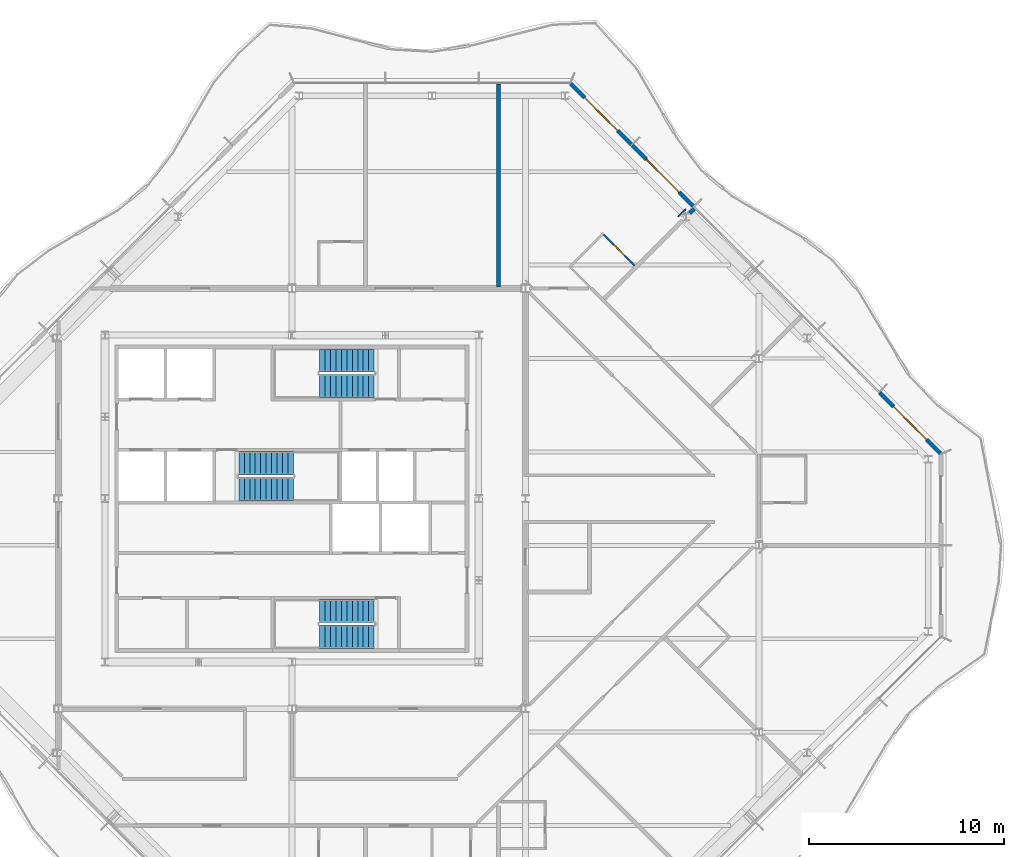
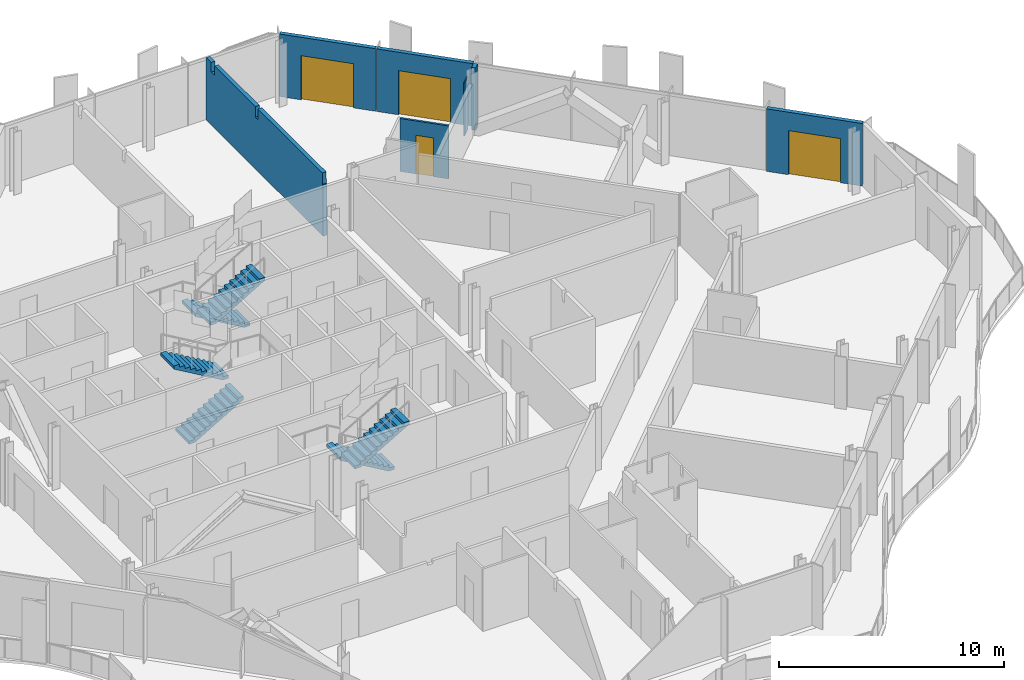
# One storey, part 12 of 17: 7 walls, 6 stair flights, 4 doors, 4 openings, 3 elements without a shape of their own.
"""IFC4 building model written with IfcOpenShell, lengths in metres."""

from ifc_helpers import new_model, si_unit, direction, frame, frame_2d, origin, place, context, subcontext, project, spatial, polyline, rectangle, outline, extrude, material, layer, layer_set, type_object, element, fill, aggregate, save


model = new_model("IFC4")

# Units and contexts
model_context = context("Model", 3, precision=1e-05, world=origin(), true_north=direction((0.0, 1.0)))
body_context = subcontext(model_context, "Body", "Model", "MODEL_VIEW")
ifc_project = project(units=[si_unit("LENGTHUNIT", "METRE"), si_unit("AREAUNIT", "SQUARE_METRE"), si_unit("VOLUMEUNIT", "CUBIC_METRE"), si_unit("PLANEANGLEUNIT", "RADIAN"), si_unit("MASSUNIT", "GRAM", prefix="KILO")], contexts=[model_context])

# Site, building, storey
site_placement = place(None, origin())
site = spatial("IfcSite", under=ifc_project, at=site_placement, CompositionType="ELEMENT")
building_placement = place(site_placement, origin())
building = spatial("IfcBuilding", under=site, at=building_placement, Name="Cairn Pilgrim Tower", CompositionType="ELEMENT")
storey_placement = place(building_placement, frame((0.0, 0.0, 292.199951171875)))
storey = spatial("IfcBuildingStorey", under=building, at=storey_placement, Name="L75", CompositionType="ELEMENT", Elevation=292.199951171875)

# Wall, opening, door
ifc_material_1 = material(Name="Bronze anodised aluminium insulated sandwich panel with mineral wool fill", Category="aluminium")
ifc_layer_1 = layer(ifc_material_1, 0.199951171875)
ifc_layer_set_1 = layer_set([ifc_layer_1], Name="BRONZE INFILL FRAME WALL 200")
wall_type_1 = type_object("IfcWallType", Name="BRONZE INFILL FRAME WALL 200", PredefinedType="NOTDEFINED", material=ifc_layer_set_1)
wall_1_placement = place(storey_placement, frame((40.521728515625, 4.724609375, 0.0), z_axis=(0.0, 0.0, 1.0), x_axis=(-0.707106781187, 0.707106781187, 0.0)))
wall_1 = element("IfcWall", 1, at=wall_1_placement, inside=storey, type_object=wall_type_1, Name="Bronze infill frame wall IW-NE1", PredefinedType="NOTDEFINED", context=body_context, shape_type="SweptSolid", body=[
    extrude(rectangle(XDim=4.421142578125, YDim=0.199951171875, at=frame_2d((2.21044921875, 0.0))), origin(), (0.0, 0.0, 1.0), 3.400146484375),
])
opening_1_placement = place(wall_1_placement, frame((1.00537109375, 0.0, 0.0)))
opening_1 = element("IfcOpeningElement", 2, at=opening_1_placement, cuts=wall_1, Name="Opening 7506B", PredefinedType="OPENING", context=body_context, shape_type="SweptSolid", body=[
    extrude(rectangle(XDim=2.39990234375, YDim=2.39990234375, at=frame_2d((1.199951171875, 1.199951171875))), frame((0.0, 0.10986328125, 0.0), z_axis=(0.0, -1.0, 0.0), x_axis=(1.0, 0.0, 0.0)), (0.0, 0.0, 1.0), 0.219970703125),
])
ifc_material_2 = material(Name="Bronze anodised aluminium frame with tinted low-E glass", Category="aluminium")
door_type_1 = type_object("IfcDoorType", Name="BALCONY SLIDING DOOR 2400x2400", OperationType="DOUBLE_DOOR_SLIDING", PredefinedType="DOOR", material=ifc_material_2)
door_1_placement = place(opening_1_placement, origin())
door_1 = element("IfcDoor", 3, at=door_1_placement, inside=storey, type_object=door_type_1, Name="Balcony sliding door 7506B", OperationType="SINGLE_SWING_LEFT", OverallHeight=2.39990234375, OverallWidth=2.39990234375, PredefinedType="DOOR", context=body_context, shape_type="SweptSolid", body=[
    extrude(rectangle(XDim=2.39990234375, YDim=2.39990234375, at=frame_2d((1.199951171875, 1.199951171875))), frame((0.0, 0.02490234375, 0.0), z_axis=(0.0, -1.0, 0.0), x_axis=(1.0, 0.0, 0.0)), (0.0, 0.0, 1.0), 0.050048828125),
])
fill(opening_1, door_1)

wall_2_placement = place(storey_placement, frame((27.826416015625, 17.419921875, 0.0), z_axis=(0.0, 0.0, 1.0), x_axis=(-0.707079231393, 0.707134329907, 0.0)))
wall_2 = element("IfcWall", 4, at=wall_2_placement, inside=storey, type_object=wall_type_1, Name="Bronze infill frame wall IW-NE5", PredefinedType="NOTDEFINED", context=body_context, shape_type="SweptSolid", body=[
    extrude(rectangle(XDim=4.430908203125, YDim=0.199951171875, at=frame_2d((2.21533203125, 0.0))), origin(), (0.0, 0.0, 1.0), 3.400146484375),
])
opening_2_placement = place(wall_2_placement, frame((1.01513671875, 0.0, 0.0)))
opening_2 = element("IfcOpeningElement", 5, at=opening_2_placement, cuts=wall_2, Name="Opening 7508B", PredefinedType="OPENING", context=body_context, shape_type="SweptSolid", body=[
    extrude(rectangle(XDim=2.39990234375, YDim=2.39990234375, at=frame_2d((1.199951171875, 1.199951171875))), frame((0.0, 0.10986328125, 0.0), z_axis=(0.0, -1.0, 0.0), x_axis=(1.0, 0.0, 0.0)), (0.0, 0.0, 1.0), 0.219970703125),
])
door_2_placement = place(opening_2_placement, origin())
door_2 = element("IfcDoor", 6, at=door_2_placement, inside=storey, type_object=door_type_1, Name="Balcony sliding door 7508B", OperationType="SINGLE_SWING_LEFT", OverallHeight=2.39990234375, OverallWidth=2.39990234375, PredefinedType="DOOR", context=body_context, shape_type="SweptSolid", body=[
    extrude(rectangle(XDim=2.39990234375, YDim=2.39990234375, at=frame_2d((1.199951171875, 1.199951171875))), frame((0.0, 0.02490234375, 0.0), z_axis=(0.0, -1.0, 0.0), x_axis=(1.0, 0.0, 0.0)), (0.0, 0.0, 1.0), 0.050048828125),
])
fill(opening_2, door_2)

wall_3_placement = place(storey_placement, frame((24.65087890625, 20.595703125, 0.0), z_axis=(0.0, 0.0, 1.0), x_axis=(-0.707134392299, 0.707079168996, 0.0)))
wall_3 = element("IfcWall", 7, at=wall_3_placement, inside=storey, type_object=wall_type_1, Name="Bronze infill frame wall IW-NE6", PredefinedType="NOTDEFINED", context=body_context, shape_type="SweptSolid", body=[
    extrude(rectangle(XDim=4.4208984375, YDim=0.199951171875, at=frame_2d((2.21044921875, 0.0))), origin(), (0.0, 0.0, 1.0), 3.400146484375),
])
opening_3_placement = place(wall_3_placement, frame((1.01513671875, 0.0, 0.0)))
opening_3 = element("IfcOpeningElement", 8, at=opening_3_placement, cuts=wall_3, Name="Opening 7508B2", PredefinedType="OPENING", context=body_context, shape_type="SweptSolid", body=[
    extrude(rectangle(XDim=2.39990234375, YDim=2.39990234375, at=frame_2d((1.199951171875, 1.199951171875))), frame((0.0, 0.10986328125, 0.0), z_axis=(0.0, -1.0, 0.0), x_axis=(1.0, 0.0, 0.0)), (0.0, 0.0, 1.0), 0.219970703125),
])
door_3_placement = place(opening_3_placement, origin())
door_3 = element("IfcDoor", 9, at=door_3_placement, inside=storey, type_object=door_type_1, Name="Balcony sliding door 7508B2", OperationType="SINGLE_SWING_LEFT", OverallHeight=2.39990234375, OverallWidth=2.39990234375, PredefinedType="DOOR", context=body_context, shape_type="SweptSolid", body=[
    extrude(rectangle(XDim=2.39990234375, YDim=2.39990234375, at=frame_2d((1.199951171875, 1.199951171875))), frame((0.0, 0.02490234375, 0.0), z_axis=(0.0, -1.0, 0.0), x_axis=(1.0, 0.0, 0.0)), (0.0, 0.0, 1.0), 0.050048828125),
])
fill(opening_3, door_3)

ifc_material_3 = material(Name="Gypsum partition")
ifc_layer_2 = layer(ifc_material_3, 0.10009765625)
ifc_layer_set_2 = layer_set([ifc_layer_2], Name="PARTITION 100 DRYWALL")
wall_type_2 = type_object("IfcWallType", Name="PARTITION 100 DRYWALL", PredefinedType="PARTITIONING", material=ifc_layer_set_2)
wall_4_placement = place(storey_placement, frame((24.811279296875, 14.376708984375, 0.0), z_axis=(0.0, 0.0, 1.0), x_axis=(-0.707106781187, 0.707106781187, 0.0)))
wall_4 = element("IfcWall", 10, at=wall_4_placement, inside=storey, type_object=wall_type_2, Name="PARTITION W058", PredefinedType="PARTITIONING", context=body_context, shape_type="SweptSolid", body=[
    extrude(rectangle(XDim=2.249755859375, YDim=0.10009765625, at=frame_2d((1.125, 0.0))), origin(), (0.0, 0.0, 1.0), 2.880126953125),
])
opening_4_placement = place(wall_4_placement, frame((0.699951171875, 0.0, 0.0)))
opening_4 = element("IfcOpeningElement", 11, at=opening_4_placement, cuts=wall_4, Name="Opening 7508A", PredefinedType="OPENING", context=body_context, shape_type="SweptSolid", body=[
    extrude(rectangle(XDim=0.800048828125, YDim=2.10009765625, at=frame_2d((0.39990234375, 1.050048828125))), frame((0.0, 0.06005859375, 0.0), z_axis=(0.0, -1.0, 0.0), x_axis=(1.0, 0.0, 0.0)), (0.0, 0.0, 1.0), 0.1201171875),
])
ifc_material_4 = material(Name="Timber door leaf", Category="wood")
door_type_2 = type_object("IfcDoorType", Name="WC DOOR 800x2100", OperationType="NOTDEFINED", PredefinedType="DOOR", material=ifc_material_4)
door_4_placement = place(opening_4_placement, frame((0.800048828125, 0.0, 0.0), z_axis=(0.0, 0.0, 1.0), x_axis=(-1.0, 0.0, 0.0)))
door_4 = element("IfcDoor", 12, at=door_4_placement, inside=storey, type_object=door_type_2, Name="DOOR 7508A", OperationType="SINGLE_SWING_LEFT", OverallHeight=2.10009765625, OverallWidth=0.800048828125, PredefinedType="DOOR", context=body_context, shape_type="SweptSolid", body=[
    extrude(rectangle(XDim=0.800048828125, YDim=2.10009765625, at=frame_2d((0.39990234375, 1.050048828125))), frame((0.0, 0.02490234375, 0.0), z_axis=(0.0, -1.0, 0.0), x_axis=(1.0, 0.0, 0.0)), (0.0, 0.0, 1.0), 0.050048828125),
])
fill(opening_4, door_4)

# Walls
ifc_layer_3 = layer(ifc_material_3, 0.050048828125)
ifc_layer_set_3 = layer_set([ifc_layer_3], Name="PARTITION 50 DRYWALL EI 60")
wall_type_3 = type_object("IfcWallType", Name="PARTITION 50 DRYWALL EI 60", PredefinedType="PARTITIONING", material=ifc_layer_set_3)
wall_5_placement = place(storey_placement, frame((27.05419921875, 16.893310546875, 0.0), z_axis=(0.0, 0.0, 1.0), x_axis=(0.707106781187, 0.707106781187, 0.0)))
element("IfcWall", 13, at=wall_5_placement, inside=storey, type_object=wall_type_3, Name="COLUMN CASING WC19", PredefinedType="PARTITIONING", context=body_context, shape_type="SweptSolid", body=[
    extrude(rectangle(XDim=0.536865234375, YDim=0.050048828125, at=frame_2d((0.2685546875, 0.0))), origin(), (0.0, 0.0, 1.0), 2.880126953125),
])
ifc_layer_4 = layer(ifc_material_3, 0.199951171875)
ifc_layer_set_4 = layer_set([ifc_layer_4], Name="SHAFT WALL 200 GYPSUM EI 60")
wall_type_4 = type_object("IfcWallType", Name="SHAFT WALL 200 GYPSUM EI 60", PredefinedType="PARTITIONING", material=ifc_layer_set_4)
wall_6_placement = place(storey_placement, frame((17.81396484375, 13.27490234375, 0.0), z_axis=(0.0, 0.0, 1.0), x_axis=(0.0, 1.0, 0.0)))
element("IfcWall", 14, at=wall_6_placement, inside=storey, type_object=wall_type_4, Name="PARTITION W056", PredefinedType="PARTITIONING", context=body_context, shape_type="SweptSolid", body=[
    extrude(outline(polyline([(0.0, 0.0), (10.427978515625, 0.0), (10.427978515625, 3.400146484375), (9.97509765625, 3.400146484375), (9.972900390625, 2.880126953125), (9.675048828125, 2.880126953125), (9.673095703125, 3.400146484375), (6.030029296875, 3.400146484375), (6.028076171875, 2.830078125), (5.820068359375, 2.830078125), (5.818115234375, 3.400146484375), (0.074951171875, 3.400146484375), (0.072998046875, 2.780029296875), (0.0, 2.780029296875), (0.0, 0.0)])), frame((0.0, 0.10009765625, 0.0), z_axis=(0.0, -1.0, 0.0), x_axis=(1.0, 0.0, 0.0)), (0.0, 0.0, 1.0), 0.199951171875),
])
wall_7_placement = place(storey_placement, frame((27.641357421875, 17.065185546875, 0.0), z_axis=(0.0, 0.0, 1.0), x_axis=(0.707106781187, 0.707106781187, 0.0)))
element("IfcWall", 15, at=wall_7_placement, inside=storey, type_object=wall_type_4, Name="PARTITION W060", PredefinedType="PARTITIONING", context=body_context, shape_type="SweptSolid", body=[
    extrude(rectangle(XDim=0.32177734375, YDim=0.199951171875, at=frame_2d((0.160888671875, 0.0))), origin(), (0.0, 0.0, 1.0), 3.400146484375),
])

# Stair, stair flights
ifc_material_5 = material(Name="Concrete C32/40", Category="concrete")
stair_type = type_object("IfcStairType", Name="EXIT STAIR 1200", PredefinedType="HALF_TURN_STAIR", material=ifc_material_5)
stair_1_placement = place(storey_placement, origin())
stair_1 = element("IfcStair", 16, at=stair_1_placement, inside=storey, type_object=stair_type, Name="L75 Exit Stair A", PredefinedType="HALF_TURN_STAIR")
stair_flight_type = type_object("IfcStairFlightType", Name="STAIR FLIGHT 1200", PredefinedType="STRAIGHT", material=ifc_material_5)
stair_flight_1_placement = place(storey_placement, frame((11.425048828125, -3.375, 0.0), z_axis=(0.0, 0.0, 1.0), x_axis=(-1.0, 0.0, 0.0)))
stair_flight_1 = element("IfcStairFlight", 17, at=stair_flight_1_placement, type_object=stair_flight_type, Name="ST-A flight 1", NumberOfRisers=11, NumberOfTreads=10, PredefinedType="STRAIGHT", RiserHeight=0.163636364, TreadLength=0.28, context=body_context, shape_type="SweptSolid", body=[
    extrude(outline(polyline([(0.0, 0.0), (0.0, 0.16357421875), (0.280029296875, 0.16357421875), (0.280029296875, 0.327392578125), (0.56005859375, 0.327392578125), (0.56005859375, 0.490966796875), (0.840087890625, 0.490966796875), (0.840087890625, 0.654541015625), (1.1201171875, 0.654541015625), (1.1201171875, 0.818115234375), (1.39990234375, 0.818115234375), (1.39990234375, 0.98193359375), (1.679931640625, 0.98193359375), (1.679931640625, 1.1455078125), (1.9599609375, 1.1455078125), (1.9599609375, 1.30908203125), (2.239990234375, 1.30908203125), (2.239990234375, 1.47265625), (2.52001953125, 1.47265625), (2.52001953125, 1.636474609375), (2.800048828125, 1.636474609375), (2.800048828125, 1.800048828125), (2.800048828125, 1.462646484375), (0.297119140625, 0.0), (0.0, 0.0)])), frame((0.0, 0.60009765625, 0.0), z_axis=(0.0, -1.0, 0.0), x_axis=(1.0, 0.0, 0.0)), (0.0, 0.0, 1.0), 1.199951171875),
])
stair_flight_2_placement = place(storey_placement, frame((8.625, -4.699951171875, 1.800048828125), z_axis=(0.0, 0.0, 1.0), x_axis=(1.0, 0.0, 0.0)))
stair_flight_2 = element("IfcStairFlight", 18, at=stair_flight_2_placement, type_object=stair_flight_type, Name="ST-A flight 2", NumberOfRisers=11, NumberOfTreads=10, PredefinedType="STRAIGHT", RiserHeight=0.163636364, TreadLength=0.28, context=body_context, shape_type="SweptSolid", body=[
    extrude(outline(polyline([(0.0, 0.0), (0.0, 0.16357421875), (0.280029296875, 0.16357421875), (0.280029296875, 0.327392578125), (0.56005859375, 0.327392578125), (0.56005859375, 0.490966796875), (0.840087890625, 0.490966796875), (0.840087890625, 0.654541015625), (1.1201171875, 0.654541015625), (1.1201171875, 0.818115234375), (1.39990234375, 0.818115234375), (1.39990234375, 0.98193359375), (1.679931640625, 0.98193359375), (1.679931640625, 1.1455078125), (1.9599609375, 1.1455078125), (1.9599609375, 1.30908203125), (2.239990234375, 1.30908203125), (2.239990234375, 1.47265625), (2.52001953125, 1.47265625), (2.52001953125, 1.636474609375), (2.800048828125, 1.636474609375), (2.800048828125, 1.800048828125), (2.800048828125, 1.462646484375), (0.297119140625, 0.0), (0.0, 0.0)])), frame((0.0, 0.60009765625, 0.0), z_axis=(0.0, -1.0, 0.0), x_axis=(1.0, 0.0, 0.0)), (0.0, 0.0, 1.0), 1.199951171875),
])
aggregate(stair_1, [stair_flight_1, stair_flight_2])

stair_2_placement = place(storey_placement, origin())
stair_2 = element("IfcStair", 19, at=stair_2_placement, inside=storey, type_object=stair_type, Name="L75 Exit Stair B", PredefinedType="HALF_TURN_STAIR")
stair_flight_3_placement = place(storey_placement, frame((4.47509765625, 2.875, 0.0), z_axis=(0.0, 0.0, 1.0), x_axis=(1.0, 0.0, 0.0)))
stair_flight_3 = element("IfcStairFlight", 20, at=stair_flight_3_placement, type_object=stair_flight_type, Name="ST-B flight 1", NumberOfRisers=11, NumberOfTreads=10, PredefinedType="STRAIGHT", RiserHeight=0.163636364, TreadLength=0.28, context=body_context, shape_type="SweptSolid", body=[
    extrude(outline(polyline([(0.0, 0.0), (0.0, 0.16357421875), (0.280029296875, 0.16357421875), (0.280029296875, 0.327392578125), (0.56005859375, 0.327392578125), (0.56005859375, 0.490966796875), (0.840087890625, 0.490966796875), (0.840087890625, 0.654541015625), (1.1201171875, 0.654541015625), (1.1201171875, 0.818115234375), (1.39990234375, 0.818115234375), (1.39990234375, 0.98193359375), (1.679931640625, 0.98193359375), (1.679931640625, 1.1455078125), (1.9599609375, 1.1455078125), (1.9599609375, 1.30908203125), (2.239990234375, 1.30908203125), (2.239990234375, 1.47265625), (2.52001953125, 1.47265625), (2.52001953125, 1.636474609375), (2.800048828125, 1.636474609375), (2.800048828125, 1.800048828125), (2.800048828125, 1.462646484375), (0.297119140625, 0.0), (0.0, 0.0)])), frame((0.0, 0.60009765625, 0.0), z_axis=(0.0, -1.0, 0.0), x_axis=(1.0, 0.0, 0.0)), (0.0, 0.0, 1.0), 1.199951171875),
])
stair_flight_4_placement = place(storey_placement, frame((7.27490234375, 4.22509765625, 1.800048828125), z_axis=(0.0, 0.0, 1.0), x_axis=(-1.0, 0.0, 0.0)))
stair_flight_4 = element("IfcStairFlight", 21, at=stair_flight_4_placement, type_object=stair_flight_type, Name="ST-B flight 2", NumberOfRisers=11, NumberOfTreads=10, PredefinedType="STRAIGHT", RiserHeight=0.163636364, TreadLength=0.28, context=body_context, shape_type="SweptSolid", body=[
    extrude(outline(polyline([(0.0, 0.0), (0.0, 0.16357421875), (0.280029296875, 0.16357421875), (0.280029296875, 0.327392578125), (0.56005859375, 0.327392578125), (0.56005859375, 0.490966796875), (0.840087890625, 0.490966796875), (0.840087890625, 0.654541015625), (1.1201171875, 0.654541015625), (1.1201171875, 0.818115234375), (1.39990234375, 0.818115234375), (1.39990234375, 0.98193359375), (1.679931640625, 0.98193359375), (1.679931640625, 1.1455078125), (1.9599609375, 1.1455078125), (1.9599609375, 1.30908203125), (2.239990234375, 1.30908203125), (2.239990234375, 1.47265625), (2.52001953125, 1.47265625), (2.52001953125, 1.636474609375), (2.800048828125, 1.636474609375), (2.800048828125, 1.800048828125), (2.800048828125, 1.462646484375), (0.297119140625, 0.0), (0.0, 0.0)])), frame((0.0, 0.60009765625, 0.0), z_axis=(0.0, -1.0, 0.0), x_axis=(1.0, 0.0, 0.0)), (0.0, 0.0, 1.0), 1.199951171875),
])
aggregate(stair_2, [stair_flight_3, stair_flight_4])

stair_3_placement = place(storey_placement, origin())
stair_3 = element("IfcStair", 22, at=stair_3_placement, inside=storey, type_object=stair_type, Name="L75 Exit Stair C", PredefinedType="HALF_TURN_STAIR")
stair_flight_5_placement = place(storey_placement, frame((11.425048828125, 9.5, 0.0), z_axis=(0.0, 0.0, 1.0), x_axis=(-1.0, 0.0, 0.0)))
stair_flight_5 = element("IfcStairFlight", 23, at=stair_flight_5_placement, type_object=stair_flight_type, Name="ST-C flight 1", NumberOfRisers=11, NumberOfTreads=10, PredefinedType="STRAIGHT", RiserHeight=0.163636364, TreadLength=0.28, context=body_context, shape_type="SweptSolid", body=[
    extrude(outline(polyline([(0.0, 0.0), (0.0, 0.16357421875), (0.280029296875, 0.16357421875), (0.280029296875, 0.327392578125), (0.56005859375, 0.327392578125), (0.56005859375, 0.490966796875), (0.840087890625, 0.490966796875), (0.840087890625, 0.654541015625), (1.1201171875, 0.654541015625), (1.1201171875, 0.818115234375), (1.39990234375, 0.818115234375), (1.39990234375, 0.98193359375), (1.679931640625, 0.98193359375), (1.679931640625, 1.1455078125), (1.9599609375, 1.1455078125), (1.9599609375, 1.30908203125), (2.239990234375, 1.30908203125), (2.239990234375, 1.47265625), (2.52001953125, 1.47265625), (2.52001953125, 1.636474609375), (2.800048828125, 1.636474609375), (2.800048828125, 1.800048828125), (2.800048828125, 1.462646484375), (0.297119140625, 0.0), (0.0, 0.0)])), frame((0.0, 0.60009765625, 0.0), z_axis=(0.0, -1.0, 0.0), x_axis=(1.0, 0.0, 0.0)), (0.0, 0.0, 1.0), 1.199951171875),
])
stair_flight_6_placement = place(storey_placement, frame((8.625, 8.175048828125, 1.800048828125), z_axis=(0.0, 0.0, 1.0), x_axis=(1.0, 0.0, 0.0)))
stair_flight_6 = element("IfcStairFlight", 24, at=stair_flight_6_placement, type_object=stair_flight_type, Name="ST-C flight 2", NumberOfRisers=11, NumberOfTreads=10, PredefinedType="STRAIGHT", RiserHeight=0.163636364, TreadLength=0.28, context=body_context, shape_type="SweptSolid", body=[
    extrude(outline(polyline([(0.0, 0.0), (0.0, 0.16357421875), (0.280029296875, 0.16357421875), (0.280029296875, 0.327392578125), (0.56005859375, 0.327392578125), (0.56005859375, 0.490966796875), (0.840087890625, 0.490966796875), (0.840087890625, 0.654541015625), (1.1201171875, 0.654541015625), (1.1201171875, 0.818115234375), (1.39990234375, 0.818115234375), (1.39990234375, 0.98193359375), (1.679931640625, 0.98193359375), (1.679931640625, 1.1455078125), (1.9599609375, 1.1455078125), (1.9599609375, 1.30908203125), (2.239990234375, 1.30908203125), (2.239990234375, 1.47265625), (2.52001953125, 1.47265625), (2.52001953125, 1.636474609375), (2.800048828125, 1.636474609375), (2.800048828125, 1.800048828125), (2.800048828125, 1.462646484375), (0.297119140625, 0.0), (0.0, 0.0)])), frame((0.0, 0.60009765625, 0.0), z_axis=(0.0, -1.0, 0.0), x_axis=(1.0, 0.0, 0.0)), (0.0, 0.0, 1.0), 1.199951171875),
])
aggregate(stair_3, [stair_flight_5, stair_flight_6])

save(model, "model.ifc")
